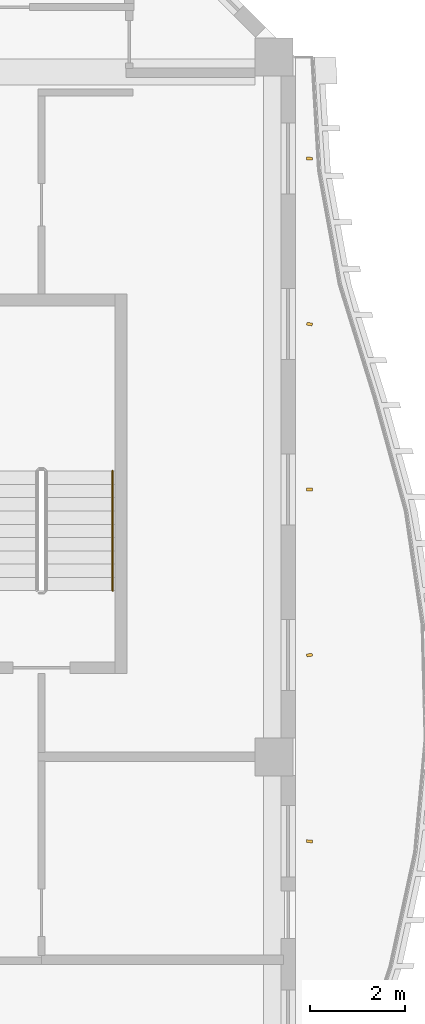
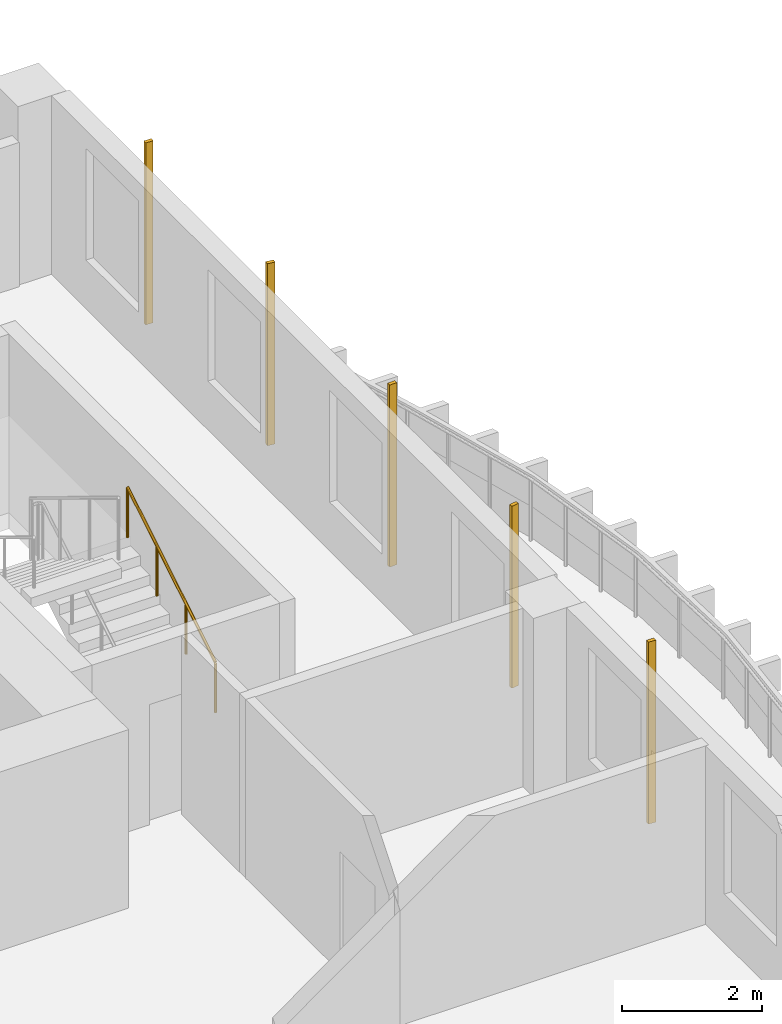
# One storey, part 22 of 22: 5 shading devices, 1 railing.
"""IFC4 building model written with IfcOpenShell, lengths in metres."""

from ifc_helpers import new_model, si_unit, direction, frame, origin, origin_2d, place, context, subcontext, project, spatial, rectangle, circle, extrude, source, transform, mapped, material, material_profile, profile_set, type_object, element, save


model = new_model("IFC4")

# Units and contexts
model_context = context("Model", 3, precision=1e-05, world=origin(), true_north=direction((0.0, 1.0)))
body_context = subcontext(model_context, "Body", "Model", "MODEL_VIEW")
ifc_project = project(units=[si_unit("LENGTHUNIT", "METRE"), si_unit("AREAUNIT", "SQUARE_METRE"), si_unit("VOLUMEUNIT", "CUBIC_METRE"), si_unit("PLANEANGLEUNIT", "RADIAN"), si_unit("MASSUNIT", "GRAM", prefix="KILO")], contexts=[model_context])

# Site, building, storey
site_placement = place(None, origin())
site = spatial("IfcSite", under=ifc_project, at=site_placement, CompositionType="ELEMENT")
building_placement = place(site_placement, origin())
building = spatial("IfcBuilding", under=site, at=building_placement, Name="Kilnfold Tower and Market Hall", CompositionType="ELEMENT")
storey_placement = place(building_placement, frame((0.0, 0.0, 171.89990234375)))
storey = spatial("IfcBuildingStorey", under=building, at=storey_placement, Name="L40", CompositionType="ELEMENT", Elevation=171.89990234375)

# Railing
ifc_material_1 = material(Name="Stainless steel 316", Category="steel")
railing_type = type_object("IfcRailingType", Name="CORE STAIR HANDRAIL 900", PredefinedType="HANDRAIL", material=ifc_material_1)
railing_placement = place(storey_placement, frame((21.39990234375, 11.5, 0.170166015625)))
element("IfcRailing", 1, at=railing_placement, inside=storey, type_object=railing_type, Name="L40 ST5 stair handrail 1", PredefinedType="HANDRAIL", context=body_context, shape_type="SweptSolid", body=[
    extrude(circle(Radius=0.02392578125, at=origin_2d()), frame((0.0, 0.0, 0.8759765625), z_axis=(0.0, 0.85478489116, 0.518982456201), x_axis=(-1.0, 0.0, 0.0)), (0.0, 0.0, 1.0), 2.9482421875),
    extrude(circle(Radius=0.02099609375, at=origin_2d()), origin(), (0.0, 0.0, 1.0), 0.851806640625),
    extrude(circle(Radius=0.02099609375, at=origin_2d()), frame((0.0, 0.840087890625, 0.510009765625)), (0.0, 0.0, 1.0), 0.851806640625),
    extrude(circle(Radius=0.02099609375, at=origin_2d()), frame((0.0, 1.679931640625, 1.02001953125)), (0.0, 0.0, 1.0), 0.851806640625),
    extrude(circle(Radius=0.02099609375, at=origin_2d()), frame((0.0, 2.52001953125, 1.530029296875)), (0.0, 0.0, 1.0), 0.851806640625),
])

# Shading devices
ifc_material_2 = material(Name="Terracotta", Category="masonry")
ifc_material_profile = material_profile(ifc_material_2, rectangle(XDim=0.06005859375, YDim=0.1201171875, at=origin_2d()), Name="BAG 60x120")
ifc_profile_set = profile_set([ifc_material_profile], Name="Terracotta")
shading_device_type = type_object("IfcShadingDeviceType", Name="BAGUETTE", PredefinedType="USERDEFINED", material=ifc_profile_set)
shared_shape = source(origin(), body_context, "Body", "SweptSolid", [
    extrude(rectangle(XDim=0.06005859375, YDim=0.1201171875, at=origin_2d()), origin(), (0.0, 0.0, 1.0), 3.18017578125),
])
for number, where, z_axis, x_axis, name in (
    (2, (25.550048828125, 6.21875, 0.0), (0.0, 0.0, 1.0), (0.052391730156, 0.998626610206, 0.0), "Terracotta baguette L40 E"),
    (3, (25.550048828125, 10.143798828125, 0.0), (0.0, 0.0, 1.0), (-0.136576653293, 0.990629505807, 0.0), "Terracotta baguette L40 E"),
    (4, (25.550048828125, 13.63134765625, 0.0), (0.0, 0.0, 1.0), (-0.027696578326, 0.999616376191, 0.0), "Terracotta baguette L40 E"),
    (5, (25.550048828125, 17.11865234375, 0.0), (0.0, 0.0, 1.0), (0.136268889219, 0.99067188808, 0.0), "Terracotta baguette L40 E"),
    (6, (25.550048828125, 20.606201171875, 0.0), (0.0, 0.0, 1.0), (0.029230101009, 0.999572709309, 0.0), "Terracotta baguette L40 E"),
):
    element("IfcShadingDevice", number, at=place(storey_placement, frame(where, z_axis=z_axis, x_axis=x_axis)), inside=storey, type_object=shading_device_type, Name=name, ObjectType="BAGUETTE", PredefinedType="USERDEFINED", context=body_context, shape_type="MappedRepresentation", body=[
        mapped(shared_shape, transform((0.0, 0.0, 0.0))),
    ])

save(model, "model.ifc")
